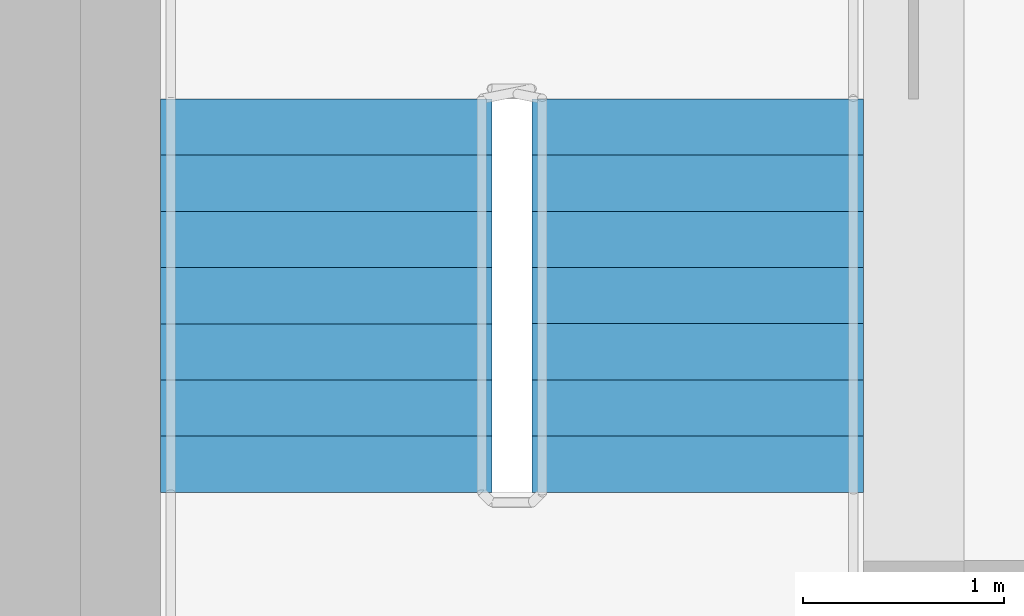
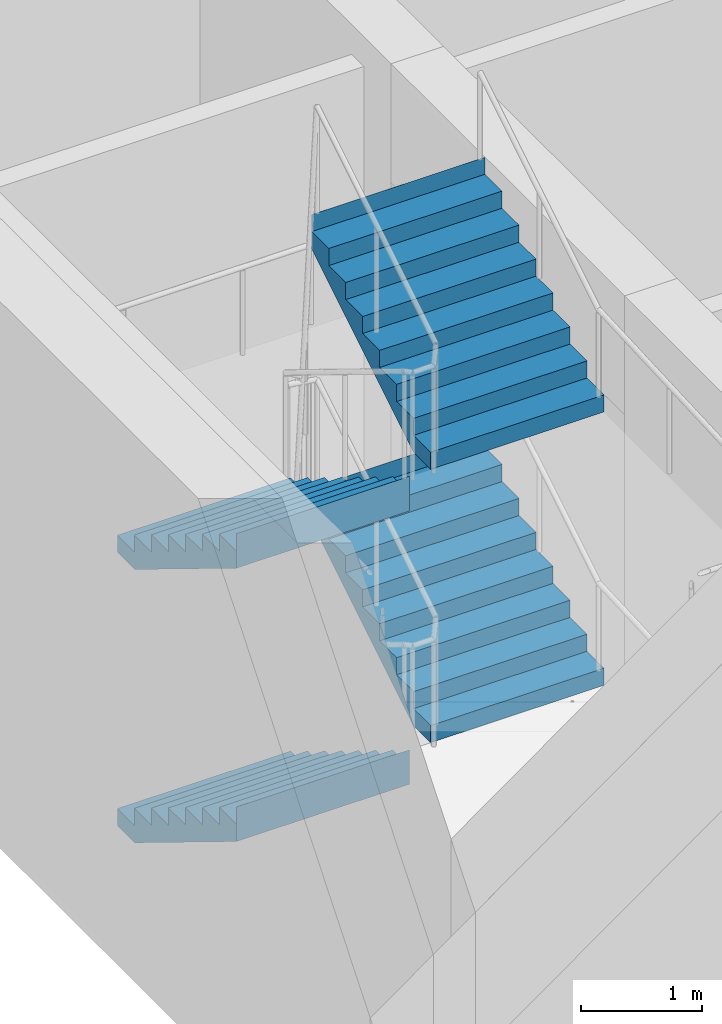
# One storey, part 11 of 15: 4 stair flights, 1 element without a shape of its own.
"""IFC4 building model written with IfcOpenShell, lengths in metres."""

from ifc_helpers import new_model, si_unit, direction, frame, origin, place, context, subcontext, project, spatial, polyline, outline, extrude, material, type_object, element, aggregate, save


model = new_model("IFC4")

# Units and contexts
model_context = context("Model", 3, precision=1e-05, world=origin(), true_north=direction((0.0, 1.0)))
body_context = subcontext(model_context, "Body", "Model", "MODEL_VIEW")
ifc_project = project(units=[si_unit("LENGTHUNIT", "METRE"), si_unit("AREAUNIT", "SQUARE_METRE"), si_unit("VOLUMEUNIT", "CUBIC_METRE"), si_unit("PLANEANGLEUNIT", "RADIAN"), si_unit("MASSUNIT", "GRAM", prefix="KILO")], contexts=[model_context])

# Site, building, storey
site_placement = place(None, origin())
site = spatial("IfcSite", under=ifc_project, at=site_placement, CompositionType="ELEMENT")
building_placement = place(site_placement, origin())
building = spatial("IfcBuilding", under=site, at=building_placement, Name="Tamorin Gate", CompositionType="ELEMENT")
storey_placement = place(building_placement, frame((0.0, 0.0, 292.199951171875)))
storey = spatial("IfcBuildingStorey", under=building, at=storey_placement, Name="L73", CompositionType="ELEMENT", Elevation=292.199951171875)

# Stair, stair flights
ifc_material = material(Name="Concrete C40/50", Category="concrete")
stair_type = type_object("IfcStairType", Name="Exit stair", PredefinedType="HALF_TURN_STAIR", material=ifc_material)
stair_placement = place(storey_placement, origin())
stair = element("IfcStair", 1, at=stair_placement, inside=storey, type_object=stair_type, Name="L73 stair ST1", PredefinedType="HALF_TURN_STAIR")
stair_flight_type = type_object("IfcStairFlightType", Name="Exit stair flight", PredefinedType="STRAIGHT", material=ifc_material)
stair_flight_1_placement = place(storey_placement, frame((31.824951171875, 66.5, 0.0), z_axis=(0.0, 0.0, 1.0), x_axis=(0.0, -1.0, 0.0)))
stair_flight_1 = element("IfcStairFlight", 2, at=stair_flight_1_placement, type_object=stair_flight_type, Name="ST1 flight 1", NumberOfRisers=8, NumberOfTreads=7, PredefinedType="STRAIGHT", RiserHeight=0.171875, TreadLength=0.28, context=body_context, shape_type="SweptSolid", body=[
    extrude(outline(polyline([(-0.00048828125, 0.0), (-0.00048828125, 0.001708984375), (-0.00048828125, 0.00341796875), (-0.00048828125, 0.005126953125), (-0.00048828125, 0.0068359375), (-0.00048828125, 0.008544921875), (-0.00048828125, 0.01025390625), (-0.00048828125, 0.011962890625), (-0.00048828125, 0.013671875), (-0.00048828125, 0.015380859375), (-0.00048828125, 0.01708984375), (-0.00048828125, 0.018798828125), (-0.00048828125, 0.0205078125), (-0.00048828125, 0.022216796875), (-0.00048828125, 0.02392578125), (-0.00048828125, 0.025634765625), (-0.00048828125, 0.02734375), (-0.00048828125, 0.02880859375), (-0.00048828125, 0.030517578125), (-0.00048828125, 0.0322265625), (-0.00048828125, 0.033935546875), (-0.00048828125, 0.03564453125), (-0.00048828125, 0.037353515625), (-0.00048828125, 0.0390625), (-0.00048828125, 0.040771484375), (-0.00048828125, 0.04248046875), (-0.00048828125, 0.044189453125), (-0.00048828125, 0.0458984375), (-0.00048828125, 0.047607421875), (-0.00048828125, 0.04931640625), (-0.00048828125, 0.051025390625), (-0.00048828125, 0.052734375), (-0.00048828125, 0.054443359375), (-0.00048828125, 0.05615234375), (-0.00048828125, 0.057861328125), (-0.00048828125, 0.0595703125), (-0.00048828125, 0.061279296875), (-0.00048828125, 0.06298828125), (-0.00048828125, 0.064697265625), (-0.00048828125, 0.06640625), (-0.00048828125, 0.068115234375), (-0.00048828125, 0.06982421875), (-0.00048828125, 0.071533203125), (-0.00048828125, 0.0732421875), (-0.00048828125, 0.074951171875), (-0.00048828125, 0.07666015625), (-0.00048828125, 0.078369140625), (-0.00048828125, 0.080078125), (-0.00048828125, 0.081787109375), (-0.00048828125, 0.08349609375), (-0.00048828125, 0.085205078125), (-0.00048828125, 0.086669921875), (-0.00048828125, 0.08837890625), (-0.00048828125, 0.090087890625), (-0.00048828125, 0.091796875), (-0.00048828125, 0.093505859375), (-0.00048828125, 0.09521484375), (-0.00048828125, 0.096923828125), (-0.00048828125, 0.0986328125), (-0.00048828125, 0.100341796875), (-0.00048828125, 0.10205078125), (-0.00048828125, 0.103759765625), (-0.00048828125, 0.10546875), (-0.00048828125, 0.107177734375), (-0.00048828125, 0.10888671875), (-0.00048828125, 0.110595703125), (-0.00048828125, 0.1123046875), (-0.00048828125, 0.114013671875), (-0.00048828125, 0.11572265625), (-0.00048828125, 0.117431640625), (-0.00048828125, 0.119140625), (-0.00048828125, 0.120849609375), (-0.00048828125, 0.12255859375), (-0.00048828125, 0.124267578125), (-0.00048828125, 0.1259765625), (-0.00048828125, 0.127685546875), (-0.00048828125, 0.12939453125), (-0.00048828125, 0.131103515625), (-0.00048828125, 0.1328125), (-0.00048828125, 0.134521484375), (-0.00048828125, 0.13623046875), (-0.00048828125, 0.137939453125), (-0.00048828125, 0.1396484375), (-0.00048828125, 0.141357421875), (-0.00048828125, 0.14306640625), (-0.00048828125, 0.14453125), (-0.00048828125, 0.146240234375), (-0.00048828125, 0.14794921875), (-0.00048828125, 0.149658203125), (-0.00048828125, 0.1513671875), (-0.00048828125, 0.153076171875), (-0.00048828125, 0.15478515625), (-0.00048828125, 0.156494140625), (-0.00048828125, 0.158203125), (-0.00048828125, 0.159912109375), (-0.00048828125, 0.16162109375), (-0.00048828125, 0.163330078125), (-0.00048828125, 0.1650390625), (-0.00048828125, 0.166748046875), (-0.00048828125, 0.16845703125), (-0.00048828125, 0.170166015625), (-0.00048828125, 0.171875), (0.280029296875, 0.171875), (0.280029296875, 0.34375), (0.56005859375, 0.34375), (0.56005859375, 0.515625), (0.840087890625, 0.515625), (0.840087890625, 0.6875), (1.1201171875, 0.6875), (1.1201171875, 0.859375), (1.39990234375, 0.859375), (1.39990234375, 1.03125), (1.679931640625, 1.03125), (1.679931640625, 1.203125), (1.9599609375, 1.203125), (1.9599609375, 1.375), (1.96044921875, 1.375), (1.96044921875, 1.37158203125), (1.96044921875, 1.3681640625), (1.96044921875, 1.36474609375), (1.96044921875, 1.361328125), (1.96044921875, 1.357666015625), (1.96044921875, 1.354248046875), (1.96044921875, 1.350830078125), (1.96044921875, 1.347412109375), (1.96044921875, 1.343994140625), (1.96044921875, 1.340576171875), (1.96044921875, 1.337158203125), (1.96044921875, 1.333740234375), (1.96044921875, 1.330322265625), (1.96044921875, 1.326904296875), (1.96044921875, 1.3232421875), (1.96044921875, 1.31982421875), (1.96044921875, 1.31640625), (1.96044921875, 1.31298828125), (1.96044921875, 1.3095703125), (1.96044921875, 1.30615234375), (1.96044921875, 1.302734375), (1.96044921875, 1.29931640625), (1.96044921875, 1.2958984375), (1.96044921875, 1.29248046875), (1.96044921875, 1.288818359375), (1.96044921875, 1.285400390625), (1.96044921875, 1.281982421875), (1.96044921875, 1.278564453125), (1.96044921875, 1.275146484375), (1.96044921875, 1.271728515625), (1.96044921875, 1.268310546875), (1.96044921875, 1.264892578125), (1.96044921875, 1.261474609375), (1.96044921875, 1.2578125), (1.96044921875, 1.25439453125), (1.96044921875, 1.2509765625), (1.96044921875, 1.24755859375), (1.96044921875, 1.244140625), (1.96044921875, 1.24072265625), (1.96044921875, 1.2373046875), (1.96044921875, 1.23388671875), (1.96044921875, 1.23046875), (1.96044921875, 1.22705078125), (1.96044921875, 1.223388671875), (1.96044921875, 1.219970703125), (1.96044921875, 1.216552734375), (1.96044921875, 1.213134765625), (1.96044921875, 1.209716796875), (1.96044921875, 1.206298828125), (1.96044921875, 1.202880859375), (1.96044921875, 1.199462890625), (1.96044921875, 1.196044921875), (1.96044921875, 1.192626953125), (1.96044921875, 1.18896484375), (1.96044921875, 1.185546875), (1.96044921875, 1.18212890625), (1.96044921875, 1.1787109375), (1.96044921875, 1.17529296875), (1.96044921875, 1.171875), (1.96044921875, 1.16845703125), (1.96044921875, 1.1650390625), (1.96044921875, 1.16162109375), (1.96044921875, 1.157958984375), (1.96044921875, 1.154541015625), (1.96044921875, 1.151123046875), (1.96044921875, 1.147705078125), (1.96044921875, 1.144287109375), (1.96044921875, 1.140869140625), (1.96044921875, 1.137451171875), (1.96044921875, 1.134033203125), (1.96044921875, 1.130615234375), (1.96044921875, 1.127197265625), (1.96044921875, 1.12353515625), (1.96044921875, 1.1201171875), (1.96044921875, 1.11669921875), (1.96044921875, 1.11328125), (1.96044921875, 1.10986328125), (1.96044921875, 1.1064453125), (1.96044921875, 1.10302734375), (1.96044921875, 1.099609375), (1.96044921875, 1.09619140625), (1.96044921875, 1.0927734375), (1.96044921875, 1.089111328125), (1.96044921875, 1.085693359375), (1.96044921875, 1.082275390625), (1.96044921875, 1.078857421875), (1.96044921875, 1.075439453125), (1.96044921875, 1.072021484375), (1.96044921875, 1.068603515625), (1.96044921875, 1.065185546875), (1.96044921875, 1.061767578125), (1.96044921875, 1.05810546875), (1.96044921875, 1.0546875), (1.96044921875, 1.05126953125), (1.96044921875, 1.0478515625), (1.96044921875, 1.04443359375), (1.96044921875, 1.041015625), (1.96044921875, 1.03759765625), (1.96044921875, 1.0341796875), (1.96044921875, 1.03076171875), (1.96044921875, 1.02734375), (1.9599609375, 1.02734375), (0.28662109375, 0.0), (-0.00048828125, 0.0)])), frame((0.0, 0.824951171875, 0.0), z_axis=(0.0, -1.0, 0.0), x_axis=(1.0, 0.0, 0.0)), (0.0, 0.0, 1.0), 1.64990234375),
])
stair_flight_2_placement = place(storey_placement, frame((33.675048828125, 64.5400390625, 1.375), z_axis=(0.0, 0.0, 1.0), x_axis=(0.0, 1.0, 0.0)))
stair_flight_2 = element("IfcStairFlight", 3, at=stair_flight_2_placement, type_object=stair_flight_type, Name="ST1 flight 2", NumberOfRisers=8, NumberOfTreads=7, PredefinedType="STRAIGHT", RiserHeight=0.171875, TreadLength=0.28, context=body_context, shape_type="SweptSolid", body=[
    extrude(outline(polyline([(-0.00048828125, 0.0), (-0.00048828125, 0.001708984375), (-0.00048828125, 0.00341796875), (-0.00048828125, 0.005126953125), (-0.00048828125, 0.0068359375), (-0.00048828125, 0.008544921875), (-0.00048828125, 0.01025390625), (-0.00048828125, 0.011962890625), (-0.00048828125, 0.013671875), (-0.00048828125, 0.015380859375), (-0.00048828125, 0.01708984375), (-0.00048828125, 0.018798828125), (-0.00048828125, 0.0205078125), (-0.00048828125, 0.022216796875), (-0.00048828125, 0.02392578125), (-0.00048828125, 0.025634765625), (-0.00048828125, 0.02734375), (-0.00048828125, 0.02880859375), (-0.00048828125, 0.030517578125), (-0.00048828125, 0.0322265625), (-0.00048828125, 0.033935546875), (-0.00048828125, 0.03564453125), (-0.00048828125, 0.037353515625), (-0.00048828125, 0.0390625), (-0.00048828125, 0.040771484375), (-0.00048828125, 0.04248046875), (-0.00048828125, 0.044189453125), (-0.00048828125, 0.0458984375), (-0.00048828125, 0.047607421875), (-0.00048828125, 0.04931640625), (-0.00048828125, 0.051025390625), (-0.00048828125, 0.052734375), (-0.00048828125, 0.054443359375), (-0.00048828125, 0.05615234375), (-0.00048828125, 0.057861328125), (-0.00048828125, 0.0595703125), (-0.00048828125, 0.061279296875), (-0.00048828125, 0.06298828125), (-0.00048828125, 0.064697265625), (-0.00048828125, 0.06640625), (-0.00048828125, 0.068115234375), (-0.00048828125, 0.06982421875), (-0.00048828125, 0.071533203125), (-0.00048828125, 0.0732421875), (-0.00048828125, 0.074951171875), (-0.00048828125, 0.07666015625), (-0.00048828125, 0.078369140625), (-0.00048828125, 0.080078125), (-0.00048828125, 0.081787109375), (-0.00048828125, 0.08349609375), (-0.00048828125, 0.085205078125), (-0.00048828125, 0.086669921875), (-0.00048828125, 0.08837890625), (-0.00048828125, 0.090087890625), (-0.00048828125, 0.091796875), (-0.00048828125, 0.093505859375), (-0.00048828125, 0.09521484375), (-0.00048828125, 0.096923828125), (-0.00048828125, 0.0986328125), (-0.00048828125, 0.100341796875), (-0.00048828125, 0.10205078125), (-0.00048828125, 0.103759765625), (-0.00048828125, 0.10546875), (-0.00048828125, 0.107177734375), (-0.00048828125, 0.10888671875), (-0.00048828125, 0.110595703125), (-0.00048828125, 0.1123046875), (-0.00048828125, 0.114013671875), (-0.00048828125, 0.11572265625), (-0.00048828125, 0.117431640625), (-0.00048828125, 0.119140625), (-0.00048828125, 0.120849609375), (-0.00048828125, 0.12255859375), (-0.00048828125, 0.124267578125), (-0.00048828125, 0.1259765625), (-0.00048828125, 0.127685546875), (-0.00048828125, 0.12939453125), (-0.00048828125, 0.131103515625), (-0.00048828125, 0.1328125), (-0.00048828125, 0.134521484375), (-0.00048828125, 0.13623046875), (-0.00048828125, 0.137939453125), (-0.00048828125, 0.1396484375), (-0.00048828125, 0.141357421875), (-0.00048828125, 0.14306640625), (-0.00048828125, 0.14453125), (-0.00048828125, 0.146240234375), (-0.00048828125, 0.14794921875), (-0.00048828125, 0.149658203125), (-0.00048828125, 0.1513671875), (-0.00048828125, 0.153076171875), (-0.00048828125, 0.15478515625), (-0.00048828125, 0.156494140625), (-0.00048828125, 0.158203125), (-0.00048828125, 0.159912109375), (-0.00048828125, 0.16162109375), (-0.00048828125, 0.163330078125), (-0.00048828125, 0.1650390625), (-0.00048828125, 0.166748046875), (-0.00048828125, 0.16845703125), (-0.00048828125, 0.170166015625), (-0.00048828125, 0.171875), (0.280029296875, 0.171875), (0.280029296875, 0.34375), (0.56005859375, 0.34375), (0.56005859375, 0.515625), (0.840087890625, 0.515625), (0.840087890625, 0.6875), (1.1201171875, 0.6875), (1.1201171875, 0.859375), (1.39990234375, 0.859375), (1.39990234375, 1.03125), (1.679931640625, 1.03125), (1.679931640625, 1.203125), (1.9599609375, 1.203125), (1.9599609375, 1.375), (1.96044921875, 1.375), (1.96044921875, 1.37158203125), (1.96044921875, 1.3681640625), (1.96044921875, 1.36474609375), (1.96044921875, 1.361328125), (1.96044921875, 1.357666015625), (1.96044921875, 1.354248046875), (1.96044921875, 1.350830078125), (1.96044921875, 1.347412109375), (1.96044921875, 1.343994140625), (1.96044921875, 1.340576171875), (1.96044921875, 1.337158203125), (1.96044921875, 1.333740234375), (1.96044921875, 1.330322265625), (1.96044921875, 1.326904296875), (1.96044921875, 1.3232421875), (1.96044921875, 1.31982421875), (1.96044921875, 1.31640625), (1.96044921875, 1.31298828125), (1.96044921875, 1.3095703125), (1.96044921875, 1.30615234375), (1.96044921875, 1.302734375), (1.96044921875, 1.29931640625), (1.96044921875, 1.2958984375), (1.96044921875, 1.29248046875), (1.96044921875, 1.288818359375), (1.96044921875, 1.285400390625), (1.96044921875, 1.281982421875), (1.96044921875, 1.278564453125), (1.96044921875, 1.275146484375), (1.96044921875, 1.271728515625), (1.96044921875, 1.268310546875), (1.96044921875, 1.264892578125), (1.96044921875, 1.261474609375), (1.96044921875, 1.2578125), (1.96044921875, 1.25439453125), (1.96044921875, 1.2509765625), (1.96044921875, 1.24755859375), (1.96044921875, 1.244140625), (1.96044921875, 1.24072265625), (1.96044921875, 1.2373046875), (1.96044921875, 1.23388671875), (1.96044921875, 1.23046875), (1.96044921875, 1.22705078125), (1.96044921875, 1.223388671875), (1.96044921875, 1.219970703125), (1.96044921875, 1.216552734375), (1.96044921875, 1.213134765625), (1.96044921875, 1.209716796875), (1.96044921875, 1.206298828125), (1.96044921875, 1.202880859375), (1.96044921875, 1.199462890625), (1.96044921875, 1.196044921875), (1.96044921875, 1.192626953125), (1.96044921875, 1.18896484375), (1.96044921875, 1.185546875), (1.96044921875, 1.18212890625), (1.96044921875, 1.1787109375), (1.96044921875, 1.17529296875), (1.96044921875, 1.171875), (1.96044921875, 1.16845703125), (1.96044921875, 1.1650390625), (1.96044921875, 1.16162109375), (1.96044921875, 1.157958984375), (1.96044921875, 1.154541015625), (1.96044921875, 1.151123046875), (1.96044921875, 1.147705078125), (1.96044921875, 1.144287109375), (1.96044921875, 1.140869140625), (1.96044921875, 1.137451171875), (1.96044921875, 1.134033203125), (1.96044921875, 1.130615234375), (1.96044921875, 1.127197265625), (1.96044921875, 1.12353515625), (1.96044921875, 1.1201171875), (1.96044921875, 1.11669921875), (1.96044921875, 1.11328125), (1.96044921875, 1.10986328125), (1.96044921875, 1.1064453125), (1.96044921875, 1.10302734375), (1.96044921875, 1.099609375), (1.96044921875, 1.09619140625), (1.96044921875, 1.0927734375), (1.96044921875, 1.089111328125), (1.96044921875, 1.085693359375), (1.96044921875, 1.082275390625), (1.96044921875, 1.078857421875), (1.96044921875, 1.075439453125), (1.96044921875, 1.072021484375), (1.96044921875, 1.068603515625), (1.96044921875, 1.065185546875), (1.96044921875, 1.061767578125), (1.96044921875, 1.05810546875), (1.96044921875, 1.0546875), (1.96044921875, 1.05126953125), (1.96044921875, 1.0478515625), (1.96044921875, 1.04443359375), (1.96044921875, 1.041015625), (1.96044921875, 1.03759765625), (1.96044921875, 1.0341796875), (1.96044921875, 1.03076171875), (1.96044921875, 1.02734375), (1.9599609375, 1.02734375), (0.28662109375, 0.0), (-0.00048828125, 0.0)])), frame((0.0, 0.824951171875, 0.0), z_axis=(0.0, -1.0, 0.0), x_axis=(1.0, 0.0, 0.0)), (0.0, 0.0, 1.0), 1.64990234375),
])
stair_flight_3_placement = place(storey_placement, frame((31.824951171875, 66.5, 2.75), z_axis=(0.0, 0.0, 1.0), x_axis=(0.0, -1.0, 0.0)))
stair_flight_3 = element("IfcStairFlight", 4, at=stair_flight_3_placement, type_object=stair_flight_type, Name="ST1 flight 3", NumberOfRisers=8, NumberOfTreads=7, PredefinedType="STRAIGHT", RiserHeight=0.171875, TreadLength=0.28, context=body_context, shape_type="SweptSolid", body=[
    extrude(outline(polyline([(-0.00048828125, 0.0), (-0.00048828125, 0.001708984375), (-0.00048828125, 0.00341796875), (-0.00048828125, 0.005126953125), (-0.00048828125, 0.0068359375), (-0.00048828125, 0.008544921875), (-0.00048828125, 0.01025390625), (-0.00048828125, 0.011962890625), (-0.00048828125, 0.013671875), (-0.00048828125, 0.015380859375), (-0.00048828125, 0.01708984375), (-0.00048828125, 0.018798828125), (-0.00048828125, 0.0205078125), (-0.00048828125, 0.022216796875), (-0.00048828125, 0.02392578125), (-0.00048828125, 0.025634765625), (-0.00048828125, 0.02734375), (-0.00048828125, 0.02880859375), (-0.00048828125, 0.030517578125), (-0.00048828125, 0.0322265625), (-0.00048828125, 0.033935546875), (-0.00048828125, 0.03564453125), (-0.00048828125, 0.037353515625), (-0.00048828125, 0.0390625), (-0.00048828125, 0.040771484375), (-0.00048828125, 0.04248046875), (-0.00048828125, 0.044189453125), (-0.00048828125, 0.0458984375), (-0.00048828125, 0.047607421875), (-0.00048828125, 0.04931640625), (-0.00048828125, 0.051025390625), (-0.00048828125, 0.052734375), (-0.00048828125, 0.054443359375), (-0.00048828125, 0.05615234375), (-0.00048828125, 0.057861328125), (-0.00048828125, 0.0595703125), (-0.00048828125, 0.061279296875), (-0.00048828125, 0.06298828125), (-0.00048828125, 0.064697265625), (-0.00048828125, 0.06640625), (-0.00048828125, 0.068115234375), (-0.00048828125, 0.06982421875), (-0.00048828125, 0.071533203125), (-0.00048828125, 0.0732421875), (-0.00048828125, 0.074951171875), (-0.00048828125, 0.07666015625), (-0.00048828125, 0.078369140625), (-0.00048828125, 0.080078125), (-0.00048828125, 0.081787109375), (-0.00048828125, 0.08349609375), (-0.00048828125, 0.085205078125), (-0.00048828125, 0.086669921875), (-0.00048828125, 0.08837890625), (-0.00048828125, 0.090087890625), (-0.00048828125, 0.091796875), (-0.00048828125, 0.093505859375), (-0.00048828125, 0.09521484375), (-0.00048828125, 0.096923828125), (-0.00048828125, 0.0986328125), (-0.00048828125, 0.100341796875), (-0.00048828125, 0.10205078125), (-0.00048828125, 0.103759765625), (-0.00048828125, 0.10546875), (-0.00048828125, 0.107177734375), (-0.00048828125, 0.10888671875), (-0.00048828125, 0.110595703125), (-0.00048828125, 0.1123046875), (-0.00048828125, 0.114013671875), (-0.00048828125, 0.11572265625), (-0.00048828125, 0.117431640625), (-0.00048828125, 0.119140625), (-0.00048828125, 0.120849609375), (-0.00048828125, 0.12255859375), (-0.00048828125, 0.124267578125), (-0.00048828125, 0.1259765625), (-0.00048828125, 0.127685546875), (-0.00048828125, 0.12939453125), (-0.00048828125, 0.131103515625), (-0.00048828125, 0.1328125), (-0.00048828125, 0.134521484375), (-0.00048828125, 0.13623046875), (-0.00048828125, 0.137939453125), (-0.00048828125, 0.1396484375), (-0.00048828125, 0.141357421875), (-0.00048828125, 0.14306640625), (-0.00048828125, 0.14453125), (-0.00048828125, 0.146240234375), (-0.00048828125, 0.14794921875), (-0.00048828125, 0.149658203125), (-0.00048828125, 0.1513671875), (-0.00048828125, 0.153076171875), (-0.00048828125, 0.15478515625), (-0.00048828125, 0.156494140625), (-0.00048828125, 0.158203125), (-0.00048828125, 0.159912109375), (-0.00048828125, 0.16162109375), (-0.00048828125, 0.163330078125), (-0.00048828125, 0.1650390625), (-0.00048828125, 0.166748046875), (-0.00048828125, 0.16845703125), (-0.00048828125, 0.170166015625), (-0.00048828125, 0.171875), (0.280029296875, 0.171875), (0.280029296875, 0.34375), (0.56005859375, 0.34375), (0.56005859375, 0.515625), (0.840087890625, 0.515625), (0.840087890625, 0.6875), (1.1201171875, 0.6875), (1.1201171875, 0.859375), (1.39990234375, 0.859375), (1.39990234375, 1.03125), (1.679931640625, 1.03125), (1.679931640625, 1.203125), (1.9599609375, 1.203125), (1.9599609375, 1.375), (1.96044921875, 1.375), (1.96044921875, 1.37158203125), (1.96044921875, 1.3681640625), (1.96044921875, 1.36474609375), (1.96044921875, 1.361328125), (1.96044921875, 1.357666015625), (1.96044921875, 1.354248046875), (1.96044921875, 1.350830078125), (1.96044921875, 1.347412109375), (1.96044921875, 1.343994140625), (1.96044921875, 1.340576171875), (1.96044921875, 1.337158203125), (1.96044921875, 1.333740234375), (1.96044921875, 1.330322265625), (1.96044921875, 1.326904296875), (1.96044921875, 1.3232421875), (1.96044921875, 1.31982421875), (1.96044921875, 1.31640625), (1.96044921875, 1.31298828125), (1.96044921875, 1.3095703125), (1.96044921875, 1.30615234375), (1.96044921875, 1.302734375), (1.96044921875, 1.29931640625), (1.96044921875, 1.2958984375), (1.96044921875, 1.29248046875), (1.96044921875, 1.288818359375), (1.96044921875, 1.285400390625), (1.96044921875, 1.281982421875), (1.96044921875, 1.278564453125), (1.96044921875, 1.275146484375), (1.96044921875, 1.271728515625), (1.96044921875, 1.268310546875), (1.96044921875, 1.264892578125), (1.96044921875, 1.261474609375), (1.96044921875, 1.2578125), (1.96044921875, 1.25439453125), (1.96044921875, 1.2509765625), (1.96044921875, 1.24755859375), (1.96044921875, 1.244140625), (1.96044921875, 1.24072265625), (1.96044921875, 1.2373046875), (1.96044921875, 1.23388671875), (1.96044921875, 1.23046875), (1.96044921875, 1.22705078125), (1.96044921875, 1.223388671875), (1.96044921875, 1.219970703125), (1.96044921875, 1.216552734375), (1.96044921875, 1.213134765625), (1.96044921875, 1.209716796875), (1.96044921875, 1.206298828125), (1.96044921875, 1.202880859375), (1.96044921875, 1.199462890625), (1.96044921875, 1.196044921875), (1.96044921875, 1.192626953125), (1.96044921875, 1.18896484375), (1.96044921875, 1.185546875), (1.96044921875, 1.18212890625), (1.96044921875, 1.1787109375), (1.96044921875, 1.17529296875), (1.96044921875, 1.171875), (1.96044921875, 1.16845703125), (1.96044921875, 1.1650390625), (1.96044921875, 1.16162109375), (1.96044921875, 1.157958984375), (1.96044921875, 1.154541015625), (1.96044921875, 1.151123046875), (1.96044921875, 1.147705078125), (1.96044921875, 1.144287109375), (1.96044921875, 1.140869140625), (1.96044921875, 1.137451171875), (1.96044921875, 1.134033203125), (1.96044921875, 1.130615234375), (1.96044921875, 1.127197265625), (1.96044921875, 1.12353515625), (1.96044921875, 1.1201171875), (1.96044921875, 1.11669921875), (1.96044921875, 1.11328125), (1.96044921875, 1.10986328125), (1.96044921875, 1.1064453125), (1.96044921875, 1.10302734375), (1.96044921875, 1.099609375), (1.96044921875, 1.09619140625), (1.96044921875, 1.0927734375), (1.96044921875, 1.089111328125), (1.96044921875, 1.085693359375), (1.96044921875, 1.082275390625), (1.96044921875, 1.078857421875), (1.96044921875, 1.075439453125), (1.96044921875, 1.072021484375), (1.96044921875, 1.068603515625), (1.96044921875, 1.065185546875), (1.96044921875, 1.061767578125), (1.96044921875, 1.05810546875), (1.96044921875, 1.0546875), (1.96044921875, 1.05126953125), (1.96044921875, 1.0478515625), (1.96044921875, 1.04443359375), (1.96044921875, 1.041015625), (1.96044921875, 1.03759765625), (1.96044921875, 1.0341796875), (1.96044921875, 1.03076171875), (1.96044921875, 1.02734375), (1.9599609375, 1.02734375), (0.28662109375, 0.0), (-0.00048828125, 0.0)])), frame((0.0, 0.824951171875, 0.0), z_axis=(0.0, -1.0, 0.0), x_axis=(1.0, 0.0, 0.0)), (0.0, 0.0, 1.0), 1.64990234375),
])
stair_flight_4_placement = place(storey_placement, frame((33.675048828125, 64.5400390625, 4.125), z_axis=(0.0, 0.0, 1.0), x_axis=(0.0, 1.0, 0.0)))
stair_flight_4 = element("IfcStairFlight", 5, at=stair_flight_4_placement, type_object=stair_flight_type, Name="ST1 flight 4", NumberOfRisers=8, NumberOfTreads=7, PredefinedType="STRAIGHT", RiserHeight=0.171875, TreadLength=0.28, context=body_context, shape_type="SweptSolid", body=[
    extrude(outline(polyline([(-0.00048828125, 0.0), (-0.00048828125, 0.001708984375), (-0.00048828125, 0.00341796875), (-0.00048828125, 0.005126953125), (-0.00048828125, 0.0068359375), (-0.00048828125, 0.008544921875), (-0.00048828125, 0.01025390625), (-0.00048828125, 0.011962890625), (-0.00048828125, 0.013671875), (-0.00048828125, 0.015380859375), (-0.00048828125, 0.01708984375), (-0.00048828125, 0.018798828125), (-0.00048828125, 0.0205078125), (-0.00048828125, 0.022216796875), (-0.00048828125, 0.02392578125), (-0.00048828125, 0.025634765625), (-0.00048828125, 0.02734375), (-0.00048828125, 0.02880859375), (-0.00048828125, 0.030517578125), (-0.00048828125, 0.0322265625), (-0.00048828125, 0.033935546875), (-0.00048828125, 0.03564453125), (-0.00048828125, 0.037353515625), (-0.00048828125, 0.0390625), (-0.00048828125, 0.040771484375), (-0.00048828125, 0.04248046875), (-0.00048828125, 0.044189453125), (-0.00048828125, 0.0458984375), (-0.00048828125, 0.047607421875), (-0.00048828125, 0.04931640625), (-0.00048828125, 0.051025390625), (-0.00048828125, 0.052734375), (-0.00048828125, 0.054443359375), (-0.00048828125, 0.05615234375), (-0.00048828125, 0.057861328125), (-0.00048828125, 0.0595703125), (-0.00048828125, 0.061279296875), (-0.00048828125, 0.06298828125), (-0.00048828125, 0.064697265625), (-0.00048828125, 0.06640625), (-0.00048828125, 0.068115234375), (-0.00048828125, 0.06982421875), (-0.00048828125, 0.071533203125), (-0.00048828125, 0.0732421875), (-0.00048828125, 0.074951171875), (-0.00048828125, 0.07666015625), (-0.00048828125, 0.078369140625), (-0.00048828125, 0.080078125), (-0.00048828125, 0.081787109375), (-0.00048828125, 0.08349609375), (-0.00048828125, 0.085205078125), (-0.00048828125, 0.086669921875), (-0.00048828125, 0.08837890625), (-0.00048828125, 0.090087890625), (-0.00048828125, 0.091796875), (-0.00048828125, 0.093505859375), (-0.00048828125, 0.09521484375), (-0.00048828125, 0.096923828125), (-0.00048828125, 0.0986328125), (-0.00048828125, 0.100341796875), (-0.00048828125, 0.10205078125), (-0.00048828125, 0.103759765625), (-0.00048828125, 0.10546875), (-0.00048828125, 0.107177734375), (-0.00048828125, 0.10888671875), (-0.00048828125, 0.110595703125), (-0.00048828125, 0.1123046875), (-0.00048828125, 0.114013671875), (-0.00048828125, 0.11572265625), (-0.00048828125, 0.117431640625), (-0.00048828125, 0.119140625), (-0.00048828125, 0.120849609375), (-0.00048828125, 0.12255859375), (-0.00048828125, 0.124267578125), (-0.00048828125, 0.1259765625), (-0.00048828125, 0.127685546875), (-0.00048828125, 0.12939453125), (-0.00048828125, 0.131103515625), (-0.00048828125, 0.1328125), (-0.00048828125, 0.134521484375), (-0.00048828125, 0.13623046875), (-0.00048828125, 0.137939453125), (-0.00048828125, 0.1396484375), (-0.00048828125, 0.141357421875), (-0.00048828125, 0.14306640625), (-0.00048828125, 0.14453125), (-0.00048828125, 0.146240234375), (-0.00048828125, 0.14794921875), (-0.00048828125, 0.149658203125), (-0.00048828125, 0.1513671875), (-0.00048828125, 0.153076171875), (-0.00048828125, 0.15478515625), (-0.00048828125, 0.156494140625), (-0.00048828125, 0.158203125), (-0.00048828125, 0.159912109375), (-0.00048828125, 0.16162109375), (-0.00048828125, 0.163330078125), (-0.00048828125, 0.1650390625), (-0.00048828125, 0.166748046875), (-0.00048828125, 0.16845703125), (-0.00048828125, 0.170166015625), (-0.00048828125, 0.171875), (0.280029296875, 0.171875), (0.280029296875, 0.34375), (0.56005859375, 0.34375), (0.56005859375, 0.515625), (0.840087890625, 0.515625), (0.840087890625, 0.6875), (1.1201171875, 0.6875), (1.1201171875, 0.859375), (1.39990234375, 0.859375), (1.39990234375, 1.03125), (1.679931640625, 1.03125), (1.679931640625, 1.203125), (1.9599609375, 1.203125), (1.9599609375, 1.375), (1.96044921875, 1.375), (1.96044921875, 1.37158203125), (1.96044921875, 1.3681640625), (1.96044921875, 1.36474609375), (1.96044921875, 1.361328125), (1.96044921875, 1.357666015625), (1.96044921875, 1.354248046875), (1.96044921875, 1.350830078125), (1.96044921875, 1.347412109375), (1.96044921875, 1.343994140625), (1.96044921875, 1.340576171875), (1.96044921875, 1.337158203125), (1.96044921875, 1.333740234375), (1.96044921875, 1.330322265625), (1.96044921875, 1.326904296875), (1.96044921875, 1.3232421875), (1.96044921875, 1.31982421875), (1.96044921875, 1.31640625), (1.96044921875, 1.31298828125), (1.96044921875, 1.3095703125), (1.96044921875, 1.30615234375), (1.96044921875, 1.302734375), (1.96044921875, 1.29931640625), (1.96044921875, 1.2958984375), (1.96044921875, 1.29248046875), (1.96044921875, 1.288818359375), (1.96044921875, 1.285400390625), (1.96044921875, 1.281982421875), (1.96044921875, 1.278564453125), (1.96044921875, 1.275146484375), (1.96044921875, 1.271728515625), (1.96044921875, 1.268310546875), (1.96044921875, 1.264892578125), (1.96044921875, 1.261474609375), (1.96044921875, 1.2578125), (1.96044921875, 1.25439453125), (1.96044921875, 1.2509765625), (1.96044921875, 1.24755859375), (1.96044921875, 1.244140625), (1.96044921875, 1.24072265625), (1.96044921875, 1.2373046875), (1.96044921875, 1.23388671875), (1.96044921875, 1.23046875), (1.96044921875, 1.22705078125), (1.96044921875, 1.223388671875), (1.96044921875, 1.219970703125), (1.96044921875, 1.216552734375), (1.96044921875, 1.213134765625), (1.96044921875, 1.209716796875), (1.96044921875, 1.206298828125), (1.96044921875, 1.202880859375), (1.96044921875, 1.199462890625), (1.96044921875, 1.196044921875), (1.96044921875, 1.192626953125), (1.96044921875, 1.18896484375), (1.96044921875, 1.185546875), (1.96044921875, 1.18212890625), (1.96044921875, 1.1787109375), (1.96044921875, 1.17529296875), (1.96044921875, 1.171875), (1.96044921875, 1.16845703125), (1.96044921875, 1.1650390625), (1.96044921875, 1.16162109375), (1.96044921875, 1.157958984375), (1.96044921875, 1.154541015625), (1.96044921875, 1.151123046875), (1.96044921875, 1.147705078125), (1.96044921875, 1.144287109375), (1.96044921875, 1.140869140625), (1.96044921875, 1.137451171875), (1.96044921875, 1.134033203125), (1.96044921875, 1.130615234375), (1.96044921875, 1.127197265625), (1.96044921875, 1.12353515625), (1.96044921875, 1.1201171875), (1.96044921875, 1.11669921875), (1.96044921875, 1.11328125), (1.96044921875, 1.10986328125), (1.96044921875, 1.1064453125), (1.96044921875, 1.10302734375), (1.96044921875, 1.099609375), (1.96044921875, 1.09619140625), (1.96044921875, 1.0927734375), (1.96044921875, 1.089111328125), (1.96044921875, 1.085693359375), (1.96044921875, 1.082275390625), (1.96044921875, 1.078857421875), (1.96044921875, 1.075439453125), (1.96044921875, 1.072021484375), (1.96044921875, 1.068603515625), (1.96044921875, 1.065185546875), (1.96044921875, 1.061767578125), (1.96044921875, 1.05810546875), (1.96044921875, 1.0546875), (1.96044921875, 1.05126953125), (1.96044921875, 1.0478515625), (1.96044921875, 1.04443359375), (1.96044921875, 1.041015625), (1.96044921875, 1.03759765625), (1.96044921875, 1.0341796875), (1.96044921875, 1.03076171875), (1.96044921875, 1.02734375), (1.9599609375, 1.02734375), (0.28662109375, 0.0), (-0.00048828125, 0.0)])), frame((0.0, 0.824951171875, 0.0), z_axis=(0.0, -1.0, 0.0), x_axis=(1.0, 0.0, 0.0)), (0.0, 0.0, 1.0), 1.64990234375),
])
aggregate(stair, [stair_flight_1, stair_flight_2, stair_flight_3, stair_flight_4])

save(model, "model.ifc")
